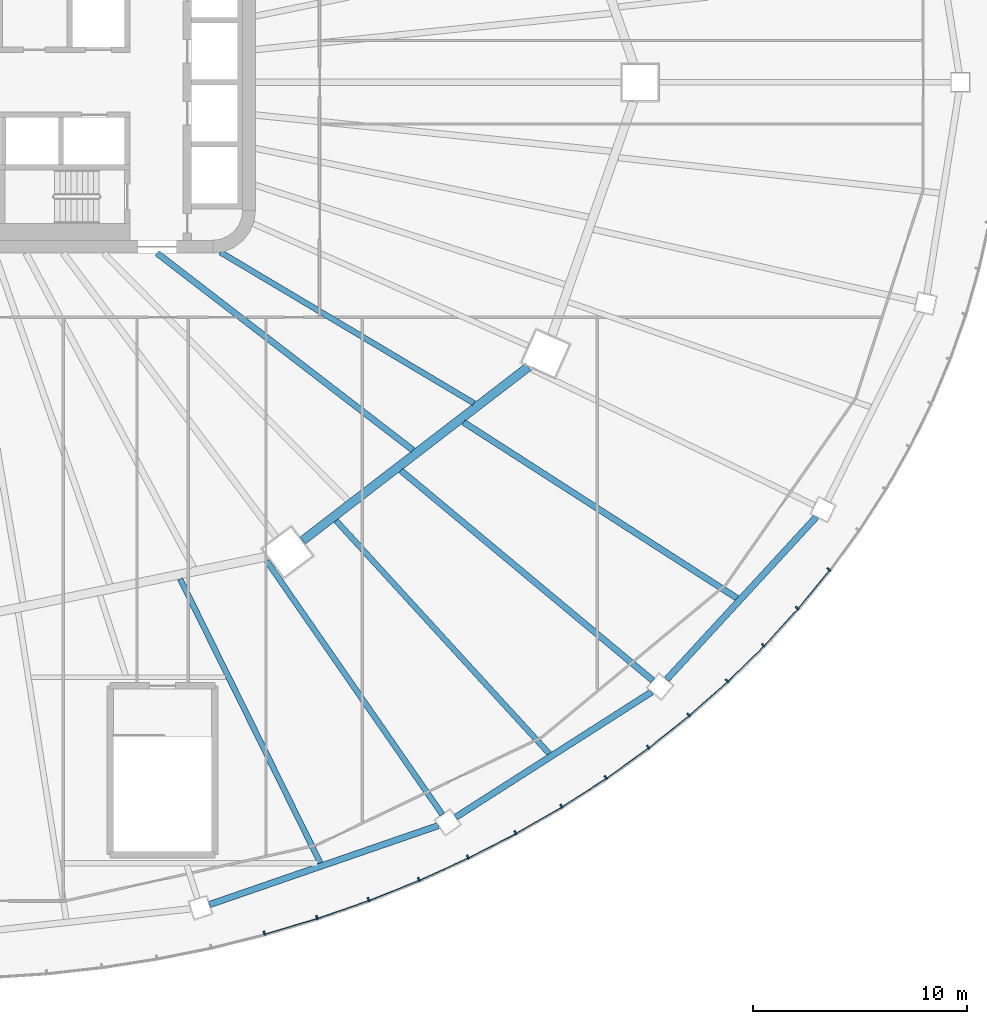
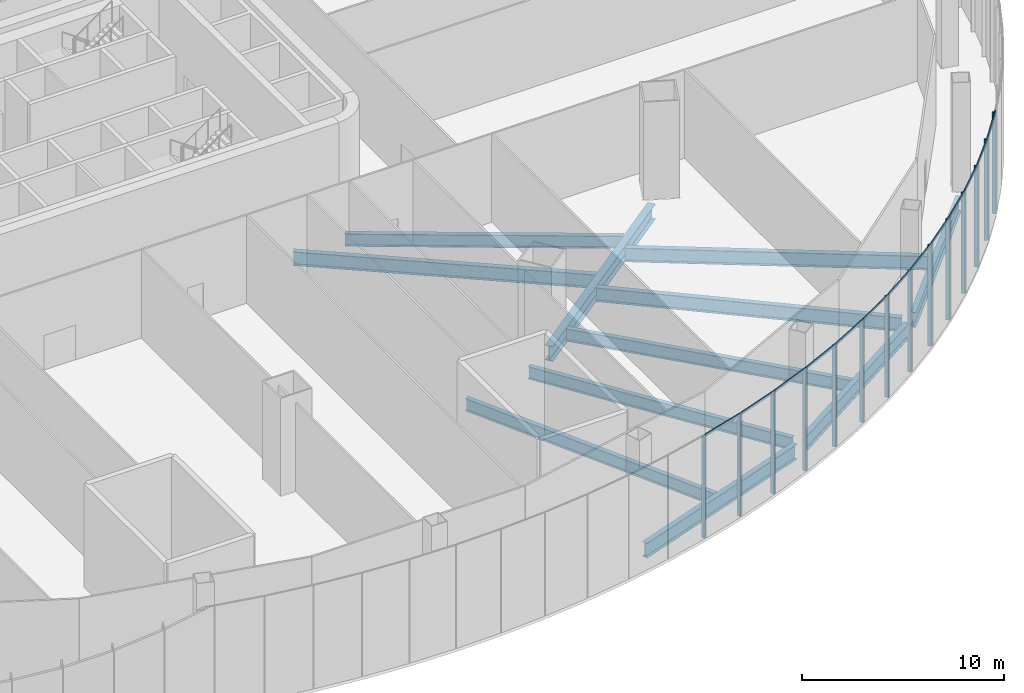
# One storey, part 9 of 33: 27 members, 11 beams, 3 elements without a shape of their own.
"""IFC4 building model written with IfcOpenShell, lengths in metres."""

from ifc_helpers import new_model, si_unit, direction, frame, origin, origin_2d, place, context, subcontext, project, spatial, rectangle, i_section, extrude, material, layer, layer_set, material_profile, profile_set, type_object, element, aggregate, save


model = new_model("IFC4")

# Units and contexts
model_context = context("Model", 3, precision=1e-05, world=origin(), true_north=direction((0.0, 1.0)))
body_context = subcontext(model_context, "Body", "Model", "MODEL_VIEW")
ifc_project = project(units=[si_unit("LENGTHUNIT", "METRE"), si_unit("AREAUNIT", "SQUARE_METRE"), si_unit("VOLUMEUNIT", "CUBIC_METRE"), si_unit("PLANEANGLEUNIT", "RADIAN"), si_unit("MASSUNIT", "GRAM", prefix="KILO")], contexts=[model_context])

# Site, building, storey
site_placement = place(None, origin())
site = spatial("IfcSite", under=ifc_project, at=site_placement, CompositionType="ELEMENT")
building_placement = place(site_placement, origin())
building = spatial("IfcBuilding", under=site, at=building_placement, Name="Sahrelin Media Tower", CompositionType="ELEMENT")
storey_placement = place(building_placement, frame((0.0, 0.0, 37.39990234375)))
storey = spatial("IfcBuildingStorey", under=building, at=storey_placement, Name="L05", CompositionType="ELEMENT", Elevation=37.39990234375)

# Curtain wall, members
ifc_material_1 = material(Name="Champagne anodised aluminium 6063-T6", Category="aluminium")
ifc_layer = layer(ifc_material_1, 0.14990234375)
ifc_layer_set = layer_set([ifc_layer], Name="Podium ribbon curtain wall")
curtain_wall_type = type_object("IfcCurtainWallType", Name="Podium ribbon curtain wall", PredefinedType="NOTDEFINED", material=ifc_layer_set)
curtain_wall_1_placement = place(storey_placement, frame((12.94091796875, -40.56884765625, 0.0), z_axis=(0.0, 0.0, 1.0), x_axis=(1.0, 0.0, 0.0)))
curtain_wall_1 = element("IfcCurtainWall", 1, at=curtain_wall_1_placement, inside=storey, type_object=curtain_wall_type, Name="L05:CW:L05-P19", PredefinedType="NOTDEFINED")
ifc_material_profile_1 = material_profile(ifc_material_1, rectangle(XDim=0.080078125, YDim=0.199951171875, at=origin_2d()), Name="Mullion 80x200")
ifc_profile_set_1 = profile_set([ifc_material_profile_1], Name="Champagne anodised aluminium 6063-T6")
member_type_1 = type_object("IfcMemberType", Name="Mullion 80x200 CW5", PredefinedType="MULLION", material=ifc_profile_set_1)
member_1_placement = place(storey_placement, frame((15.41650390625, -39.829345703125, 0.0), z_axis=(0.0, 0.0, 1.0), x_axis=(0.958494922328, 0.285109599754, 0.0)))
member_1 = element("IfcMember", 2, at=member_1_placement, type_object=member_type_1, Name="L05:CWM2:L05-P19", PredefinedType="MULLION", context=body_context, shape_type="SweptSolid", body=[
    extrude(rectangle(XDim=0.080078125, YDim=0.199951171875, at=origin_2d()), origin(), (0.0, 0.0, 1.0), 6.10009765625),
])
member_2_placement = place(storey_placement, frame((17.87890625, -39.09716796875, 0.0), z_axis=(0.0, 0.0, 1.0), x_axis=(0.944458420046, 0.328630937077, 0.0)))
member_2 = element("IfcMember", 3, at=member_2_placement, type_object=member_type_1, Name="L05:CWM3:L05-P19", PredefinedType="MULLION", context=body_context, shape_type="SweptSolid", body=[
    extrude(rectangle(XDim=0.080078125, YDim=0.199951171875, at=origin_2d()), origin(), (0.0, 0.0, 1.0), 6.10009765625),
])
member_3_placement = place(storey_placement, frame((20.292236328125, -38.257568359375, 0.0), z_axis=(0.0, 0.0, 1.0), x_axis=(0.928270482181, 0.371905783648, 0.0)))
member_3 = element("IfcMember", 4, at=member_3_placement, type_object=member_type_1, Name="L05:CWM4:L05-P19", PredefinedType="MULLION", context=body_context, shape_type="SweptSolid", body=[
    extrude(rectangle(XDim=0.080078125, YDim=0.199951171875, at=origin_2d()), origin(), (0.0, 0.0, 1.0), 6.10009765625),
])
member_4_placement = place(storey_placement, frame((22.649658203125, -37.31298828125, 0.0), z_axis=(0.0, 0.0, 1.0), x_axis=(0.909841810065, 0.414955275491, 0.0)))
member_4 = element("IfcMember", 5, at=member_4_placement, type_object=member_type_1, Name="L05:CWM5:L05-P19", PredefinedType="MULLION", context=body_context, shape_type="SweptSolid", body=[
    extrude(rectangle(XDim=0.080078125, YDim=0.199951171875, at=origin_2d()), origin(), (0.0, 0.0, 1.0), 6.10009765625),
])

curtain_wall_2_placement = place(storey_placement, frame((25.0, -36.373046875, 0.0), z_axis=(0.0, 0.0, 1.0), x_axis=(1.0, 0.0, 0.0)))
curtain_wall_2 = element("IfcCurtainWall", 6, at=curtain_wall_2_placement, inside=storey, type_object=curtain_wall_type, Name="L05:CW:L05-P20", PredefinedType="NOTDEFINED")
member_5_placement = place(storey_placement, frame((24.945068359375, -36.266357421875, 0.0), z_axis=(0.0, 0.0, 1.0), x_axis=(0.889123403251, 0.457667536309, 0.0)))
member_5 = element("IfcMember", 7, at=member_5_placement, type_object=member_type_1, Name="L05:CWM1:L05-P20", PredefinedType="MULLION", context=body_context, shape_type="SweptSolid", body=[
    extrude(rectangle(XDim=0.080078125, YDim=0.199951171875, at=origin_2d()), origin(), (0.0, 0.0, 1.0), 6.10009765625),
])
member_6_placement = place(storey_placement, frame((27.172119140625, -35.120361328125, 0.0), z_axis=(0.0, 0.0, 1.0), x_axis=(0.866028894422, 0.49999395399, 0.0)))
member_6 = element("IfcMember", 8, at=member_6_placement, type_object=member_type_1, Name="L05:CWM2:L05-P20", PredefinedType="MULLION", context=body_context, shape_type="SweptSolid", body=[
    extrude(rectangle(XDim=0.080078125, YDim=0.199951171875, at=origin_2d()), origin(), (0.0, 0.0, 1.0), 6.10009765625),
])
member_7_placement = place(storey_placement, frame((29.32421875, -33.877685546875, 0.0), z_axis=(0.0, 0.0, 1.0), x_axis=(0.840519327336, 0.541781561494, 0.0)))
member_7 = element("IfcMember", 9, at=member_7_placement, type_object=member_type_1, Name="L05:CWM3:L05-P20", PredefinedType="MULLION", context=body_context, shape_type="SweptSolid", body=[
    extrude(rectangle(XDim=0.080078125, YDim=0.199951171875, at=origin_2d()), origin(), (0.0, 0.0, 1.0), 6.10009765625),
])
member_8_placement = place(storey_placement, frame((31.39599609375, -32.54248046875, 0.0), z_axis=(0.0, 0.0, 1.0), x_axis=(0.812532432251, 0.582915985834, 0.0)))
member_8 = element("IfcMember", 10, at=member_8_placement, type_object=member_type_1, Name="L05:CWM4:L05-P20", PredefinedType="MULLION", context=body_context, shape_type="SweptSolid", body=[
    extrude(rectangle(XDim=0.080078125, YDim=0.199951171875, at=origin_2d()), origin(), (0.0, 0.0, 1.0), 6.10009765625),
])
member_9_placement = place(storey_placement, frame((33.381591796875, -31.118408203125, 0.0), z_axis=(0.0, 0.0, 1.0), x_axis=(0.781960183728, 0.623328381405, 0.0)))
member_9 = element("IfcMember", 11, at=member_9_placement, type_object=member_type_1, Name="L05:CWM5:L05-P20", PredefinedType="MULLION", context=body_context, shape_type="SweptSolid", body=[
    extrude(rectangle(XDim=0.080078125, YDim=0.199951171875, at=origin_2d()), origin(), (0.0, 0.0, 1.0), 6.10009765625),
])

curtain_wall_3_placement = place(storey_placement, frame((35.355224609375, -29.698486328125, 0.0), z_axis=(0.0, 0.0, 1.0), x_axis=(1.0, 0.0, 0.0)))
curtain_wall_3 = element("IfcCurtainWall", 12, at=curtain_wall_3_placement, inside=storey, type_object=curtain_wall_type, Name="L05:CW:L05-P21", PredefinedType="NOTDEFINED")
member_10_placement = place(storey_placement, frame((35.27587890625, -29.608642578125, 0.0), z_axis=(0.0, 0.0, 1.0), x_axis=(0.748788005735, 0.662809567272, 0.0)))
member_10 = element("IfcMember", 13, at=member_10_placement, type_object=member_type_1, Name="L05:CWM1:L05-P21", PredefinedType="MULLION", context=body_context, shape_type="SweptSolid", body=[
    extrude(rectangle(XDim=0.080078125, YDim=0.199951171875, at=origin_2d()), origin(), (0.0, 0.0, 1.0), 6.10009765625),
])
member_11_placement = place(storey_placement, frame((37.072998046875, -28.017822265625, 0.0), z_axis=(0.0, 0.0, 1.0), x_axis=(0.712973923933, 0.70119054742, 0.0)))
member_11 = element("IfcMember", 14, at=member_11_placement, type_object=member_type_1, Name="L05:CWM2:L05-P21", PredefinedType="MULLION", context=body_context, shape_type="SweptSolid", body=[
    extrude(rectangle(XDim=0.080078125, YDim=0.199951171875, at=origin_2d()), origin(), (0.0, 0.0, 1.0), 6.10009765625),
])
member_12_placement = place(storey_placement, frame((38.768798828125, -26.3505859375, 0.0), z_axis=(0.0, 0.0, 1.0), x_axis=(0.67442997344, 0.738338818514, 0.0)))
member_12 = element("IfcMember", 15, at=member_12_placement, type_object=member_type_1, Name="L05:CWM3:L05-P21", PredefinedType="MULLION", context=body_context, shape_type="SweptSolid", body=[
    extrude(rectangle(XDim=0.080078125, YDim=0.199951171875, at=origin_2d()), origin(), (0.0, 0.0, 1.0), 6.10009765625),
])
member_13_placement = place(storey_placement, frame((40.35791015625, -24.611083984375, 0.0), z_axis=(0.0, 0.0, 1.0), x_axis=(0.633234995933, 0.77395958546, 0.0)))
member_13 = element("IfcMember", 16, at=member_13_placement, type_object=member_type_1, Name="L05:CWM4:L05-P21", PredefinedType="MULLION", context=body_context, shape_type="SweptSolid", body=[
    extrude(rectangle(XDim=0.080078125, YDim=0.199951171875, at=origin_2d()), origin(), (0.0, 0.0, 1.0), 6.10009765625),
])
member_14_placement = place(storey_placement, frame((41.836669921875, -22.80419921875, 0.0), z_axis=(0.0, 0.0, 1.0), x_axis=(0.589385309161, 0.807852064022, 0.0)))
member_14 = element("IfcMember", 17, at=member_14_placement, type_object=member_type_1, Name="L05:CWM5:L05-P21", PredefinedType="MULLION", context=body_context, shape_type="SweptSolid", body=[
    extrude(rectangle(XDim=0.080078125, YDim=0.199951171875, at=origin_2d()), origin(), (0.0, 0.0, 1.0), 6.10009765625),
])

# Beams
ifc_material_2 = material(Name="Steel S355", Category="steel")
ifc_material_profile_2 = material_profile(ifc_material_2, i_section(OverallWidth=0.30322265625, OverallDepth=0.903076171875, WebThickness=0.01513671875, FlangeThickness=0.020263671875, FilletRadius=0.01904296875, at=origin_2d()), Name="UB 914x305x201")
ifc_profile_set_2 = profile_set([ifc_material_profile_2], Name="Steel S355")
beam_type_1 = type_object("IfcBeamType", Name="Podium edge girder PE11", PredefinedType="BEAM", material=ifc_profile_set_2)
beam_1_placement = place(storey_placement, frame((12.848876953125, -38.489990234375, -0.6513671875), z_axis=(0.94527240249, 0.32628221694, 0.0), x_axis=(-0.32628221694, 0.94527240249, 0.0)))
element("IfcBeam", 18, at=beam_1_placement, inside=storey, type_object=beam_type_1, Name="Podium edge girder L05-20", PredefinedType="BEAM", context=body_context, shape_type="SweptSolid", body=[
    extrude(i_section(OverallWidth=0.30322265625, OverallDepth=0.903076171875, WebThickness=0.01513671875, FlangeThickness=0.020263671875, FilletRadius=0.01904296875, at=origin_2d()), origin(), (0.0, 0.0, 1.0), 11.329345703125),
])
beam_2_placement = place(storey_placement, frame((24.37939453125, -34.3984375, -0.6513671875), z_axis=(0.842485743715, 0.538718638657, 0.0), x_axis=(-0.538718638657, 0.842485743715, 0.0)))
element("IfcBeam", 19, at=beam_2_placement, inside=storey, type_object=beam_type_1, Name="Podium edge girder L05-21", PredefinedType="BEAM", context=body_context, shape_type="SweptSolid", body=[
    extrude(i_section(OverallWidth=0.30322265625, OverallDepth=0.903076171875, WebThickness=0.01513671875, FlangeThickness=0.020263671875, FilletRadius=0.01904296875, at=origin_2d()), origin(), (0.0, 0.0, 1.0), 10.87744140625),
])
beam_3_placement = place(storey_placement, frame((34.246337890625, -27.952880859375, -0.6513671875), z_axis=(0.677370529771, 0.735642008995, 0.0), x_axis=(-0.735642008995, 0.677370529771, 0.0)))
element("IfcBeam", 20, at=beam_3_placement, inside=storey, type_object=beam_type_1, Name="Podium edge girder L05-22", PredefinedType="BEAM", context=body_context, shape_type="SweptSolid", body=[
    extrude(i_section(OverallWidth=0.30322265625, OverallDepth=0.903076171875, WebThickness=0.01513671875, FlangeThickness=0.020263671875, FilletRadius=0.01904296875, at=origin_2d()), origin(), (0.0, 0.0, 1.0), 10.340087890625),
])
ifc_material_profile_3 = material_profile(ifc_material_2, i_section(OverallWidth=0.41845703125, OverallDepth=0.911865234375, WebThickness=0.019287109375, FlangeThickness=0.031982421875, FilletRadius=0.024169921875, at=origin_2d()), Name="UB 914x419x343")
ifc_profile_set_3 = profile_set([ifc_material_profile_3], Name="Steel S355")
beam_type_2 = type_object("IfcBeamType", Name="Podium ring girder PG12", PredefinedType="BEAM", material=ifc_profile_set_3)
beam_4_placement = place(storey_placement, frame((17.21337890625, -21.447998046875, -0.65576171875), z_axis=(0.792445416108, 0.609942835428, 0.0), x_axis=(-0.609942835428, 0.792445416108, 0.0)))
element("IfcBeam", 21, at=beam_4_placement, inside=storey, type_object=beam_type_2, Name="Podium girder L05-11", PredefinedType="BEAM", context=body_context, shape_type="SweptSolid", body=[
    extrude(i_section(OverallWidth=0.41845703125, OverallDepth=0.911865234375, WebThickness=0.019287109375, FlangeThickness=0.031982421875, FilletRadius=0.024169921875, at=origin_2d()), origin(), (0.0, 0.0, 1.0), 13.318603515625),
])
ifc_material_profile_4 = material_profile(ifc_material_2, i_section(OverallWidth=0.291748046875, OverallDepth=0.8349609375, WebThickness=0.013916015625, FlangeThickness=0.018798828125, FilletRadius=0.017822265625, at=origin_2d()), Name="UB 838x292x176")
ifc_profile_set_4 = profile_set([ifc_material_profile_4], Name="Steel S355")
beam_type_3 = type_object("IfcBeamType", Name="Radial primary beam PB10", PredefinedType="BEAM", material=ifc_profile_set_4)
beam_5_placement = place(storey_placement, frame((10.393798828125, -8.0, -0.617431640625), z_axis=(0.79244196099, -0.609947324335, 0.0), x_axis=(0.609947324335, 0.79244196099, 0.0)))
element("IfcBeam", 22, at=beam_5_placement, inside=storey, type_object=beam_type_3, Name="Radial beam L05-22", PredefinedType="BEAM", context=body_context, shape_type="SweptSolid", body=[
    extrude(i_section(OverallWidth=0.291748046875, OverallDepth=0.8349609375, WebThickness=0.013916015625, FlangeThickness=0.018798828125, FilletRadius=0.017822265625, at=origin_2d()), origin(), (0.0, 0.0, 1.0), 15.1103515625),
])
beam_6_placement = place(storey_placement, frame((21.809326171875, -18.174560546875, -0.617431640625), z_axis=(0.768229105739, -0.640175008178, 0.0), x_axis=(0.640175008178, 0.768229105739, 0.0)))
element("IfcBeam", 23, at=beam_6_placement, inside=storey, type_object=beam_type_3, Name="Radial beam L05-26", PredefinedType="BEAM", context=body_context, shape_type="SweptSolid", body=[
    extrude(i_section(OverallWidth=0.291748046875, OverallDepth=0.8349609375, WebThickness=0.013916015625, FlangeThickness=0.018798828125, FilletRadius=0.017822265625, at=origin_2d()), origin(), (0.0, 0.0, 1.0), 15.342041015625),
])
ifc_material_profile_5 = material_profile(ifc_material_2, i_section(OverallWidth=0.26513671875, OverallDepth=0.75390625, WebThickness=0.0126953125, FlangeThickness=0.017578125, FilletRadius=0.0166015625, at=origin_2d()), Name="UB 762x267x147")
ifc_profile_set_5 = profile_set([ifc_material_profile_5], Name="Steel S355")
beam_type_4 = type_object("IfcBeamType", Name="Radial primary beam PB9", PredefinedType="BEAM", material=ifc_profile_set_5)
beam_7_placement = place(storey_placement, frame((15.527099609375, -22.411376953125, -0.576904296875), z_axis=(0.569493278726, -0.821995988729, 0.0), x_axis=(0.821995988729, 0.569493278726, 0.0)))
element("IfcBeam", 24, at=beam_7_placement, inside=storey, type_object=beam_type_4, Name="Radial beam L05-25", PredefinedType="BEAM", context=body_context, shape_type="SweptSolid", body=[
    extrude(i_section(OverallWidth=0.26513671875, OverallDepth=0.75390625, WebThickness=0.0126953125, FlangeThickness=0.017578125, FilletRadius=0.0166015625, at=origin_2d()), origin(), (0.0, 0.0, 1.0), 14.427734375),
])
ifc_material_profile_6 = material_profile(ifc_material_2, i_section(OverallWidth=0.291748046875, OverallDepth=0.8349609375, WebThickness=0.013916015625, FlangeThickness=0.018798828125, FilletRadius=0.017822265625, at=origin_2d()), Name="UB 838x292x176")
ifc_profile_set_6 = profile_set([ifc_material_profile_6], Name="Steel S355")
beam_type_5 = type_object("IfcBeamType", Name="Radial secondary beam SB10", PredefinedType="BEAM", material=ifc_profile_set_6)
beam_8_placement = place(storey_placement, frame((24.744140625, -15.91552734375, -0.617431640625), z_axis=(0.84104292767, -0.540968385228, 0.0), x_axis=(0.540968385228, 0.84104292767, 0.0)))
element("IfcBeam", 25, at=beam_8_placement, inside=storey, type_object=beam_type_5, Name="Secondary beam L05-22", PredefinedType="BEAM", context=body_context, shape_type="SweptSolid", body=[
    extrude(i_section(OverallWidth=0.291748046875, OverallDepth=0.8349609375, WebThickness=0.013916015625, FlangeThickness=0.018798828125, FilletRadius=0.017822265625, at=origin_2d()), origin(), (0.0, 0.0, 1.0), 15.218505859375),
])
ifc_material_profile_7 = material_profile(ifc_material_2, i_section(OverallWidth=0.26513671875, OverallDepth=0.75390625, WebThickness=0.0126953125, FlangeThickness=0.017578125, FilletRadius=0.0166015625, at=origin_2d()), Name="UB 762x267x147")
ifc_profile_set_7 = profile_set([ifc_material_profile_7], Name="Steel S355")
beam_type_6 = type_object("IfcBeamType", Name="Radial secondary beam SB9", PredefinedType="BEAM", material=ifc_profile_set_7)
beam_9_placement = place(storey_placement, frame((13.356201171875, -7.953125, -0.576904296875), z_axis=(0.859199265621, -0.511641106594, 0.0), x_axis=(0.511641106594, 0.859199265621, 0.0)))
element("IfcBeam", 26, at=beam_9_placement, inside=storey, type_object=beam_type_6, Name="Secondary beam L05-22", PredefinedType="BEAM", context=body_context, shape_type="SweptSolid", body=[
    extrude(i_section(OverallWidth=0.26513671875, OverallDepth=0.75390625, WebThickness=0.0126953125, FlangeThickness=0.017578125, FilletRadius=0.0166015625, at=origin_2d()), origin(), (0.0, 0.0, 1.0), 13.810791015625),
])
beam_10_placement = place(storey_placement, frame((11.47412109375, -23.247314453125, -0.576904296875), z_axis=(0.442602611298, -0.896717864477, 0.0), x_axis=(0.896717864477, 0.442602611298, 0.0)))
element("IfcBeam", 27, at=beam_10_placement, inside=storey, type_object=beam_type_6, Name="Secondary beam L05-20", PredefinedType="BEAM", context=body_context, shape_type="SweptSolid", body=[
    extrude(i_section(OverallWidth=0.26513671875, OverallDepth=0.75390625, WebThickness=0.0126953125, FlangeThickness=0.017578125, FilletRadius=0.0166015625, at=origin_2d()), origin(), (0.0, 0.0, 1.0), 14.8232421875),
])
beam_11_placement = place(storey_placement, frame((18.7685546875, -20.514892578125, -0.576904296875), z_axis=(0.675004282666, -0.737813810106, 0.0), x_axis=(0.737813810106, 0.675004282666, 0.0)))
element("IfcBeam", 28, at=beam_11_placement, inside=storey, type_object=beam_type_6, Name="Secondary beam L05-21", PredefinedType="BEAM", context=body_context, shape_type="SweptSolid", body=[
    extrude(i_section(OverallWidth=0.26513671875, OverallDepth=0.75390625, WebThickness=0.0126953125, FlangeThickness=0.017578125, FilletRadius=0.0166015625, at=origin_2d()), origin(), (0.0, 0.0, 1.0), 14.7861328125),
])

# Member
ifc_material_profile_8 = material_profile(ifc_material_1, rectangle(XDim=0.06005859375, YDim=0.14990234375, at=origin_2d()), Name="Transom 60x150")
ifc_profile_set_8 = profile_set([ifc_material_profile_8], Name="Champagne anodised aluminium 6063-T6")
member_type_2 = type_object("IfcMemberType", Name="Transom 60x150 CW5", PredefinedType="USERDEFINED", material=ifc_profile_set_8)
member_15_placement = place(storey_placement, frame((15.484619140625, -39.882080078125, 6.175048828125), z_axis=(0.958515646139, 0.285039920199, 0.0), x_axis=(-0.285039920199, 0.958515646139, 0.0)))
member_15 = element("IfcMember", 29, at=member_15_placement, type_object=member_type_2, Name="L05:CWT2a:L05-P19", ObjectType="TRANSOM", PredefinedType="USERDEFINED", context=body_context, shape_type="SweptSolid", body=[
    extrude(rectangle(XDim=0.06005859375, YDim=0.14990234375, at=origin_2d()), origin(), (0.0, 0.0, 1.0), 2.524169921875),
])

member_16_placement = place(storey_placement, frame((17.94921875, -39.146728515625, 6.175048828125), z_axis=(0.944469242615, 0.328599832248, 0.0), x_axis=(-0.328599832248, 0.944469242615, 0.0)))
member_16 = element("IfcMember", 30, at=member_16_placement, type_object=member_type_2, Name="L05:CWT3a:L05-P19", ObjectType="TRANSOM", PredefinedType="USERDEFINED", context=body_context, shape_type="SweptSolid", body=[
    extrude(rectangle(XDim=0.06005859375, YDim=0.14990234375, at=origin_2d()), origin(), (0.0, 0.0, 1.0), 2.510498046875),
])

member_17_placement = place(storey_placement, frame((20.364501953125, -38.303955078125, 6.175048828125), z_axis=(0.928280887293, 0.371879811615, 0.0), x_axis=(-0.371879811615, 0.928280887293, 0.0)))
member_17 = element("IfcMember", 31, at=member_17_placement, type_object=member_type_2, Name="L05:CWT4a:L05-P19", ObjectType="TRANSOM", PredefinedType="USERDEFINED", context=body_context, shape_type="SweptSolid", body=[
    extrude(rectangle(XDim=0.06005859375, YDim=0.14990234375, at=origin_2d()), origin(), (0.0, 0.0, 1.0), 2.495361328125),
])

member_18_placement = place(storey_placement, frame((22.72412109375, -37.356201171875, 6.175048828125), z_axis=(0.909832749786, 0.414975140722, 0.0), x_axis=(-0.414975140722, 0.909832749786, 0.0)))
member_18 = element("IfcMember", 32, at=member_18_placement, type_object=member_type_2, Name="L05:CWT5a:L05-P19", ObjectType="TRANSOM", PredefinedType="USERDEFINED", context=body_context, shape_type="SweptSolid", body=[
    extrude(rectangle(XDim=0.06005859375, YDim=0.14990234375, at=origin_2d()), origin(), (0.0, 0.0, 1.0), 2.478515625),
])

aggregate(curtain_wall_1, [member_1, member_15, member_2, member_16, member_3, member_17, member_4, member_18])

member_19_placement = place(storey_placement, frame((25.021484375, -36.305908203125, 6.175048828125), z_axis=(0.88908592798, 0.457740333233, 0.0), x_axis=(-0.457740333233, 0.88908592798, 0.0)))
member_19 = element("IfcMember", 33, at=member_19_placement, type_object=member_type_2, Name="L05:CWT1a:L05-P20", ObjectType="TRANSOM", PredefinedType="USERDEFINED", context=body_context, shape_type="SweptSolid", body=[
    extrude(rectangle(XDim=0.06005859375, YDim=0.14990234375, at=origin_2d()), origin(), (0.0, 0.0, 1.0), 2.46044921875),
])

member_20_placement = place(storey_placement, frame((27.250244140625, -35.156005859375, 6.175048828125), z_axis=(0.86599404773, 0.500054306346, 0.0), x_axis=(-0.500054306346, 0.86599404773, 0.0)))
member_20 = element("IfcMember", 34, at=member_20_placement, type_object=member_type_2, Name="L05:CWT2a:L05-P20", ObjectType="TRANSOM", PredefinedType="USERDEFINED", context=body_context, shape_type="SweptSolid", body=[
    extrude(rectangle(XDim=0.06005859375, YDim=0.14990234375, at=origin_2d()), origin(), (0.0, 0.0, 1.0), 2.441162109375),
])

member_21_placement = place(storey_placement, frame((29.404296875, -33.90966796875, 6.175048828125), z_axis=(0.840515923585, 0.541786842033, 0.0), x_axis=(-0.541786842033, 0.840515923585, 0.0)))
member_21 = element("IfcMember", 35, at=member_21_placement, type_object=member_type_2, Name="L05:CWT3a:L05-P20", ObjectType="TRANSOM", PredefinedType="USERDEFINED", context=body_context, shape_type="SweptSolid", body=[
    extrude(rectangle(XDim=0.06005859375, YDim=0.14990234375, at=origin_2d()), origin(), (0.0, 0.0, 1.0), 2.420654296875),
])

member_22_placement = place(storey_placement, frame((31.4775390625, -32.5703125, 6.175048828125), z_axis=(0.812528823306, 0.582921016345, 0.0), x_axis=(-0.582921016345, 0.812528823306, 0.0)))
member_22 = element("IfcMember", 36, at=member_22_placement, type_object=member_type_2, Name="L05:CWT4a:L05-P20", ObjectType="TRANSOM", PredefinedType="USERDEFINED", context=body_context, shape_type="SweptSolid", body=[
    extrude(rectangle(XDim=0.06005859375, YDim=0.14990234375, at=origin_2d()), origin(), (0.0, 0.0, 1.0), 2.39990234375),
])

member_23_placement = place(storey_placement, frame((33.46435546875, -31.141845703125, 6.175048828125), z_axis=(0.781989191913, 0.623291989144, 0.0), x_axis=(-0.623291989144, 0.781989191913, 0.0)))
member_23 = element("IfcMember", 37, at=member_23_placement, type_object=member_type_2, Name="L05:CWT5a:L05-P20", ObjectType="TRANSOM", PredefinedType="USERDEFINED", context=body_context, shape_type="SweptSolid", body=[
    extrude(rectangle(XDim=0.06005859375, YDim=0.14990234375, at=origin_2d()), origin(), (0.0, 0.0, 1.0), 2.37841796875),
])

aggregate(curtain_wall_2, [member_5, member_19, member_6, member_20, member_7, member_21, member_8, member_22, member_9, member_23])

member_24_placement = place(storey_placement, frame((35.359619140625, -29.6279296875, 6.175048828125), z_axis=(0.74879678706, 0.662799646717, 0.0), x_axis=(-0.662799646717, 0.74879678706, 0.0)))
member_24 = element("IfcMember", 38, at=member_24_placement, type_object=member_type_2, Name="L05:CWT1a:L05-P21", ObjectType="TRANSOM", PredefinedType="USERDEFINED", context=body_context, shape_type="SweptSolid", body=[
    extrude(rectangle(XDim=0.06005859375, YDim=0.14990234375, at=origin_2d()), origin(), (0.0, 0.0, 1.0), 2.356201171875),
])

member_25_placement = place(storey_placement, frame((37.15771484375, -28.03271484375, 6.175048828125), z_axis=(0.713042850278, 0.70112045589, 0.0), x_axis=(-0.70112045589, 0.713042850278, 0.0)))
member_25 = element("IfcMember", 39, at=member_25_placement, type_object=member_type_2, Name="L05:CWT2a:L05-P21", ObjectType="TRANSOM", PredefinedType="USERDEFINED", context=body_context, shape_type="SweptSolid", body=[
    extrude(rectangle(XDim=0.06005859375, YDim=0.14990234375, at=origin_2d()), origin(), (0.0, 0.0, 1.0), 2.33447265625),
])

member_26_placement = place(storey_placement, frame((38.85400390625, -26.36083984375, 6.175048828125), z_axis=(0.674452068042, 0.738318635762, 0.0), x_axis=(-0.738318635762, 0.674452068042, 0.0)))
member_26 = element("IfcMember", 40, at=member_26_placement, type_object=member_type_2, Name="L05:CWT3a:L05-P21", ObjectType="TRANSOM", PredefinedType="USERDEFINED", context=body_context, shape_type="SweptSolid", body=[
    extrude(rectangle(XDim=0.06005859375, YDim=0.14990234375, at=origin_2d()), origin(), (0.0, 0.0, 1.0), 2.312744140625),
])

member_27_placement = place(storey_placement, frame((40.44384765625, -24.61669921875, 6.175048828125), z_axis=(0.633168167393, 0.774014258137, 0.0), x_axis=(-0.774014258137, 0.633168167393, 0.0)))
member_27 = element("IfcMember", 41, at=member_27_placement, type_object=member_type_2, Name="L05:CWT4a:L05-P21", ObjectType="TRANSOM", PredefinedType="USERDEFINED", context=body_context, shape_type="SweptSolid", body=[
    extrude(rectangle(XDim=0.06005859375, YDim=0.14990234375, at=origin_2d()), origin(), (0.0, 0.0, 1.0), 2.29150390625),
])

aggregate(curtain_wall_3, [member_10, member_24, member_11, member_25, member_12, member_26, member_13, member_27, member_14])

save(model, "model.ifc")
